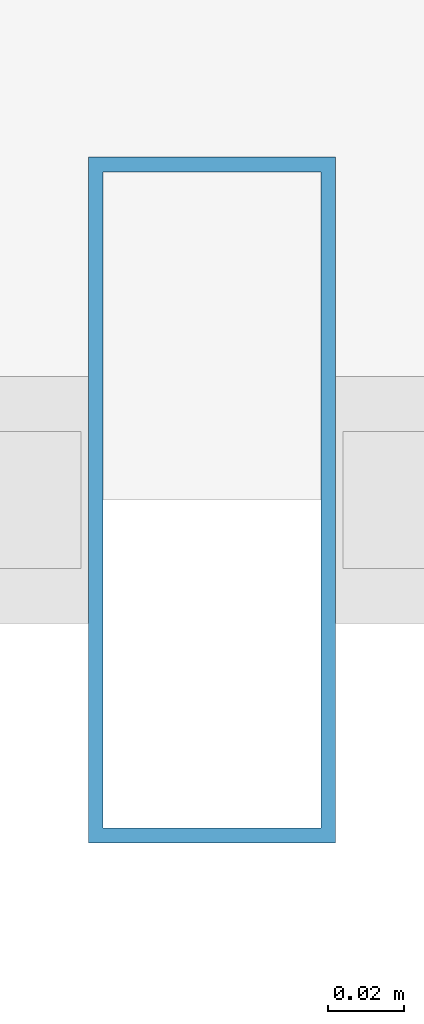
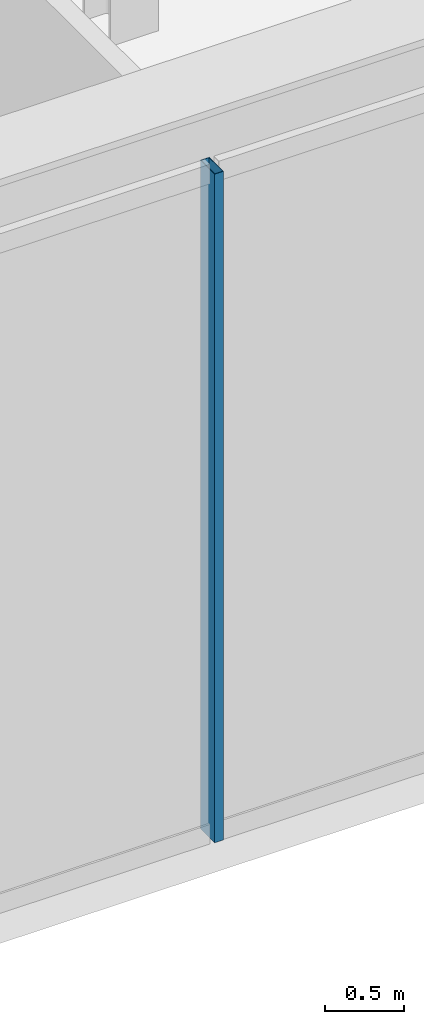
# One storey, part 35 of 53: 1 member, 1 element without a shape of its own.
"""IFC4 building model written with IfcOpenShell, lengths in metres."""

import ifcopenshell
import ifcopenshell.guid

model = None  # the IFC model being written
_history = None  # IfcOwnerHistory: only IFC2X3 demands one
_inside = {}  # id of a spatial element -> (the spatial element, [elements in it])
_under = {}  # id of a project, library or spatial element -> (it, [spatial elements below it])
_declared = {}  # id of a project -> (the project, [libraries it declares])
_typed = {}  # id of a type object -> (the type object, [elements of that type])
_made_of = {}  # id of a material, layer set ... -> (it, [elements and type objects made of it])


def new_model(schema):
    """Start an empty IFC model of exactly this schema.

    Asked for "IFC4X3", IfcOpenShell would pick the latest addendum, in which some entities
    have other attributes; the version numbers below select the first issue.
    IFC2X3 requires an IfcOwnerHistory on every rooted entity: one is made here for all.
    """
    global model, _history
    if schema == "IFC4X3":
        model = ifcopenshell.file(schema_version=(4, 3, 0, 0))
    else:
        model = ifcopenshell.file(schema=schema)
    _inside.clear()
    _under.clear()
    _declared.clear()
    _typed.clear()
    _made_of.clear()
    _history = None
    if model.schema == "IFC2X3":
        org = make("IfcOrganization", Name="unknown")
        user = make(
            "IfcPersonAndOrganization",
            ThePerson=make("IfcPerson", FamilyName="unknown"),
            TheOrganization=org,
        )
        app = make(
            "IfcApplication",
            ApplicationDeveloper=org,
            Version="unknown",
            ApplicationFullName="unknown",
            ApplicationIdentifier="unknown",
        )
        _history = make(
            "IfcOwnerHistory",
            OwningUser=user,
            OwningApplication=app,
            ChangeAction="ADDED",
            CreationDate=0,
        )
    return model


def make(cls, **values):
    """One entity of the class cls with the attributes given. An attribute that is None is left unset."""
    return model.create_entity(
        cls, **{name: value for name, value in values.items() if value is not None}
    )


def rooted(cls, **values):
    """An entity with a GlobalId (a new one), such as an element, a storey or a relation."""
    return make(cls, GlobalId=ifcopenshell.guid.new(), OwnerHistory=_history, **values)


def si_unit(unit_type, name, prefix=None):
    """IfcSIUnit, for example si_unit("LENGTHUNIT", "METRE", prefix="MILLI")."""
    return make("IfcSIUnit", UnitType=unit_type, Prefix=prefix, Name=name)


def assignment(units):
    """IfcUnitAssignment: the units of a project."""
    return None if units is None else make("IfcUnitAssignment", Units=units)


def point(xyz):
    """IfcCartesianPoint."""
    return None if xyz is None else make("IfcCartesianPoint", Coordinates=xyz)


def direction(xyz):
    """IfcDirection."""
    return None if xyz is None else make("IfcDirection", DirectionRatios=xyz)


def frame(location, z_axis=None, x_axis=None):
    """IfcAxis2Placement3D, a coordinate frame: its origin and axes. An axis left out is left unset."""
    return make(
        "IfcAxis2Placement3D",
        Location=point(location),
        Axis=direction(z_axis),
        RefDirection=direction(x_axis),
    )


def frame_2d(location, x_axis=None):
    """IfcAxis2Placement2D, a coordinate frame in the plane: its origin and x axis."""
    return make(
        "IfcAxis2Placement2D", Location=point(location), RefDirection=direction(x_axis)
    )


def origin():
    """The frame at (0, 0, 0) with its axes left unset."""
    return frame((0.0, 0.0, 0.0))


def origin_2d():
    """The frame at (0, 0) in the plane with its x axis left unset."""
    return frame_2d((0.0, 0.0))


def place(relative_to, where):
    """IfcLocalPlacement: puts the frame where relative to a parent placement (None: the world)."""
    return make(
        "IfcLocalPlacement", PlacementRelTo=relative_to, RelativePlacement=where
    )


def context(
    kind, dimensions, precision=None, world=None, true_north=None, identifier=None
):
    """IfcGeometricRepresentationContext, for example the 3D "Model" context."""
    return make(
        "IfcGeometricRepresentationContext",
        ContextIdentifier=identifier,
        ContextType=kind,
        CoordinateSpaceDimension=dimensions,
        Precision=precision,
        WorldCoordinateSystem=world,
        TrueNorth=true_north,
    )


def subcontext(parent, identifier, kind, view, scale=None):
    """IfcGeometricRepresentationSubContext, for example "Body" below "Model"."""
    return make(
        "IfcGeometricRepresentationSubContext",
        ContextIdentifier=identifier,
        ContextType=kind,
        ParentContext=parent,
        TargetScale=scale,
        TargetView=view,
    )


def project(units=None, contexts=None):
    """IfcProject with its units and contexts."""
    return rooted(
        "IfcProject",
        Name="project",
        RepresentationContexts=contexts,
        UnitsInContext=assignment(units),
    )


def spatial(cls, under=None, at=None, **own):
    """A site, building, storey or space (cls), placed at a placement, below another one or the project."""
    s = rooted(cls, ObjectPlacement=at, **own)
    if under is not None:
        _under.setdefault(under.id(), (under, []))[1].append(s)
    return s


def profile(cls, at=None, kind="AREA", **sizes):
    """A parametric profile (cls). Its sizes go by their IFC names, for example OverallWidth=200.0."""
    return make(cls, ProfileType=kind, Position=at, **sizes)


def hollow_rectangle(**sizes):
    """IfcRectangleHollowProfileDef."""
    return profile("IfcRectangleHollowProfileDef", **sizes)


def extrude(swept, where, along, depth):
    """IfcExtrudedAreaSolid: the profile swept, set in the frame where, extruded along a direction by depth."""
    return make(
        "IfcExtrudedAreaSolid",
        SweptArea=swept,
        Position=where,
        ExtrudedDirection=direction(along),
        Depth=depth,
    )


def shape(context_of_items, identifier, shape_type, items):
    """IfcShapeRepresentation: the items that make up one representation, for example the "Body"."""
    return make(
        "IfcShapeRepresentation",
        ContextOfItems=context_of_items,
        RepresentationIdentifier=identifier,
        RepresentationType=shape_type,
        Items=items,
    )


def material(Name=None, Category=None):
    """IfcMaterial."""
    return make("IfcMaterial", Name=Name, Category=Category)


def material_profile(
    of_material, cross_section, Name=None, Category=None, Priority=None
):
    """IfcMaterialProfile: a cross section and its material."""
    return make(
        "IfcMaterialProfile",
        Name=Name,
        Material=of_material,
        Profile=cross_section,
        Priority=Priority,
        Category=Category,
    )


def profile_set(profiles, Name=None, composite=None):
    """IfcMaterialProfileSet."""
    return make(
        "IfcMaterialProfileSet",
        Name=Name,
        MaterialProfiles=profiles,
        CompositeProfile=composite,
    )


def made_of(thing, what):
    """Note that an element or type object is made of a material, layer set ...; save() writes the relation."""
    if what is not None:
        _made_of.setdefault(what.id(), (what, []))[1].append(thing)
    return thing


def type_object(cls, material=None, **own):
    """A type object (cls), such as IfcWallType, which elements share."""
    return made_of(rooted(cls, **own), material)


def element(
    cls,
    number,
    at=None,
    inside=None,
    cuts=None,
    type_object=None,
    material=None,
    context=None,
    identifier="Body",
    shape_type=None,
    held_by="IfcProductDefinitionShape",
    body=None,
    shapes=None,
    **own,
):
    """One element of the class cls, such as IfcWall. Its Tag is "e" and its number.

    at: its placement. inside: the storey or other place that contains it. cuts: it is an
    opening in that element (IfcRelVoidsElement). A single representation is given by context,
    identifier, shape_type and body (its items); several are given by shapes. held_by: the class
    of the entity that holds the representations. save() writes the other relations.
    """
    e = rooted(cls, Tag="e%d" % number, ObjectPlacement=at, **own)
    if body is not None:
        shapes = [shape(context, identifier, shape_type, body)]
    if shapes is not None:
        e.Representation = make(held_by, Representations=shapes)
    if inside is not None:
        _inside.setdefault(inside.id(), (inside, []))[1].append(e)
    if cuts is not None:
        rooted(
            "IfcRelVoidsElement", RelatingBuildingElement=cuts, RelatedOpeningElement=e
        )
    if type_object is not None:
        _typed.setdefault(type_object.id(), (type_object, []))[1].append(e)
    return made_of(e, material)


def aggregate(whole, parts):
    """IfcRelAggregates: a whole, such as a stair, and the parts it consists of."""
    return rooted("IfcRelAggregates", RelatingObject=whole, RelatedObjects=parts)


def save(model, path):
    """Write the relations noted so far, then the file.

    IfcRelAggregates (storeys below a building ...), IfcRelContainedInSpatialStructure (elements
    in a storey), IfcRelDefinesByType, IfcRelAssociatesMaterial and IfcRelDeclares: one each for
    every whole, place, type object, material and project.
    """
    for whole, parts in _under.values():
        aggregate(whole, parts)
    for where, things in _inside.values():
        rooted(
            "IfcRelContainedInSpatialStructure",
            RelatedElements=things,
            RelatingStructure=where,
        )
    for kind, things in _typed.values():
        rooted("IfcRelDefinesByType", RelatedObjects=things, RelatingType=kind)
    for what, things in _made_of.values():
        rooted("IfcRelAssociatesMaterial", RelatedObjects=things, RelatingMaterial=what)
    for by, libraries in _declared.values():
        rooted("IfcRelDeclares", RelatingContext=by, RelatedDefinitions=libraries)
    model.write(path)


model = new_model("IFC4")

# Units and contexts
model_context = context("Model", 3, precision=1e-05, world=origin(), true_north=direction((0.0, 1.0)))
body_context = subcontext(model_context, "Body", "Model", "MODEL_VIEW")
ifc_project = project(units=[si_unit("LENGTHUNIT", "METRE"), si_unit("AREAUNIT", "SQUARE_METRE"), si_unit("VOLUMEUNIT", "CUBIC_METRE"), si_unit("PLANEANGLEUNIT", "RADIAN"), si_unit("MASSUNIT", "GRAM", prefix="KILO")], contexts=[model_context])

# Site, building, storey
site_placement = place(None, origin())
site = spatial("IfcSite", under=ifc_project, at=site_placement, CompositionType="ELEMENT")
building_placement = place(site_placement, origin())
building = spatial("IfcBuilding", under=site, at=building_placement, Name="Saevonmaru Cultural Tower", CompositionType="ELEMENT")
storey_placement = place(building_placement, frame((0.0, 0.0, 22.199951171875)))
storey = spatial("IfcBuildingStorey", under=building, at=storey_placement, Name="L04", CompositionType="ELEMENT", Elevation=22.199951171875)

# Curtain wall, member
ifc_material = material(Name="Satin Bronze Anodised Aluminium", Category="aluminium")
curtain_wall_type = type_object("IfcCurtainWallType", Name="CW-LIB-GLZ", PredefinedType="NOTDEFINED", material=ifc_material)
curtain_wall_placement = place(storey_placement, origin())
curtain_wall = element("IfcCurtainWall", 1, at=curtain_wall_placement, inside=storey, type_object=curtain_wall_type, Name="L04 Central Library Reading Hall Curtain Wall 2", PredefinedType="NOTDEFINED")
ifc_material_profile = material_profile(ifc_material, hollow_rectangle(XDim=0.06494140625, YDim=0.179931640625, WallThickness=0.00390625, at=origin_2d()), Name="ALU-MULL-180x65x4")
ifc_profile_set = profile_set([ifc_material_profile], Name="Satin Bronze Anodised Aluminium")
member_type = type_object("IfcMemberType", Name="ML-CW-180x65", PredefinedType="MULLION", material=ifc_profile_set)
member_placement = place(storey_placement, frame((95.24658203125, 8.0, 0.0), z_axis=(0.0, 0.0, 1.0), x_axis=(1.0, 0.0, 0.0)))
member = element("IfcMember", 2, at=member_placement, type_object=member_type, Name="CW-LIB-2-L04 mullion 3", PredefinedType="MULLION", context=body_context, shape_type="SweptSolid", body=[
    extrude(hollow_rectangle(XDim=0.06494140625, YDim=0.179931640625, WallThickness=0.00390625, at=origin_2d()), origin(), (0.0, 0.0, 1.0), 5.150146484375),
])
aggregate(curtain_wall, [member])

save(model, "model.ifc")
